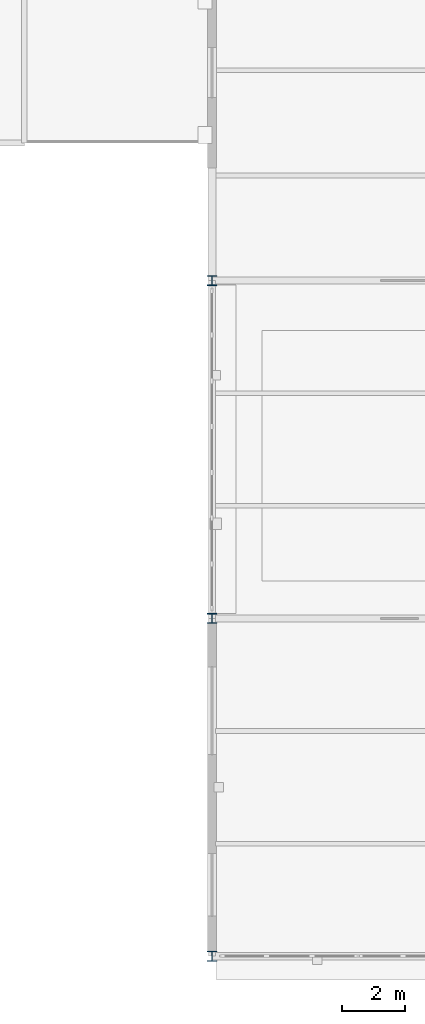
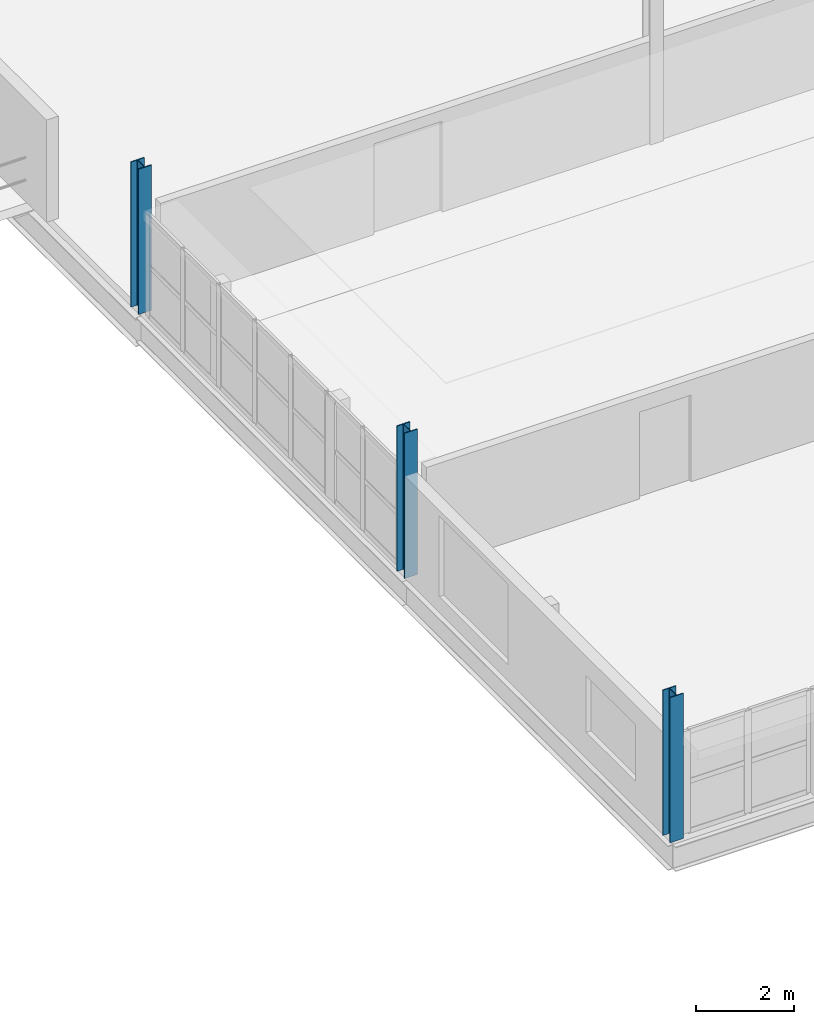
# One storey, part 6 of 101: 3 columns.
"""IFC4 building model written with IfcOpenShell, lengths in metres."""

from ifc_helpers import new_model, si_unit, direction, frame, origin, origin_2d, place, context, subcontext, project, spatial, i_section, extrude, material, material_profile, profile_set, type_object, element, save


model = new_model("IFC4")

# Units and contexts
model_context = context("Model", 3, precision=1e-05, world=origin(), true_north=direction((0.0, 1.0)))
body_context = subcontext(model_context, "Body", "Model", "MODEL_VIEW")
ifc_project = project(units=[si_unit("LENGTHUNIT", "METRE"), si_unit("AREAUNIT", "SQUARE_METRE"), si_unit("VOLUMEUNIT", "CUBIC_METRE"), si_unit("PLANEANGLEUNIT", "RADIAN"), si_unit("MASSUNIT", "GRAM", prefix="KILO"), si_unit("THERMODYNAMICTEMPERATUREUNIT", "KELVIN"), si_unit("POWERUNIT", "WATT")], contexts=[model_context])

# Site, building, storey
site_placement = place(None, origin())
site = spatial("IfcSite", under=ifc_project, at=site_placement, CompositionType="ELEMENT")
building_placement = place(site_placement, origin())
building = spatial("IfcBuilding", under=site, at=building_placement, Name="Tembeka Court Mobility Hub", CompositionType="ELEMENT")
storey_placement = place(building_placement, frame((0.0, 0.0, 5.39990234375)))
storey = spatial("IfcBuildingStorey", under=building, at=storey_placement, Name="L01", CompositionType="ELEMENT", Elevation=5.39990234375)

# Columns
ifc_material = material(Name="Steel S355", Category="steel")
ifc_material_profile = material_profile(ifc_material, i_section(OverallWidth=0.30908203125, OverallDepth=0.321044921875, WebThickness=0.013916015625, FlangeThickness=0.021728515625, FilletRadius=0.01513671875, at=origin_2d()), Name="UKC 305x305x137")
ifc_profile_set = profile_set([ifc_material_profile], Name="Steel S355")
column_type = type_object("IfcColumnType", Name="COL-C04", PredefinedType="COLUMN", material=ifc_profile_set)
for number, where, z_axis, x_axis, name in (
    (1, (116.39990234375, 0.0, 0.0), (0.0, 0.0, 1.0), (1.0, 0.0, 0.0), "Column C04 (L01-156)"),
    (2, (116.39990234375, 10.800048828125, 0.0), (0.0, 0.0, 1.0), (1.0, 0.0, 0.0), "Column C04 (L01-157)"),
    (3, (116.39990234375, 21.60009765625, 0.0), (0.0, 0.0, 1.0), (1.0, 0.0, 0.0), "Column C04 (L01-158)"),
):
    element("IfcColumn", number, at=place(storey_placement, frame(where, z_axis=z_axis, x_axis=x_axis)), inside=storey, type_object=column_type, Name=name, PredefinedType="COLUMN", context=body_context, shape_type="SweptSolid", body=[
        extrude(i_section(OverallWidth=0.30908203125, OverallDepth=0.321044921875, WebThickness=0.013916015625, FlangeThickness=0.021728515625, FilletRadius=0.01513671875, at=origin_2d()), origin(), (0.0, 0.0, 1.0), 3.60009765625),
    ])

save(model, "model.ifc")
